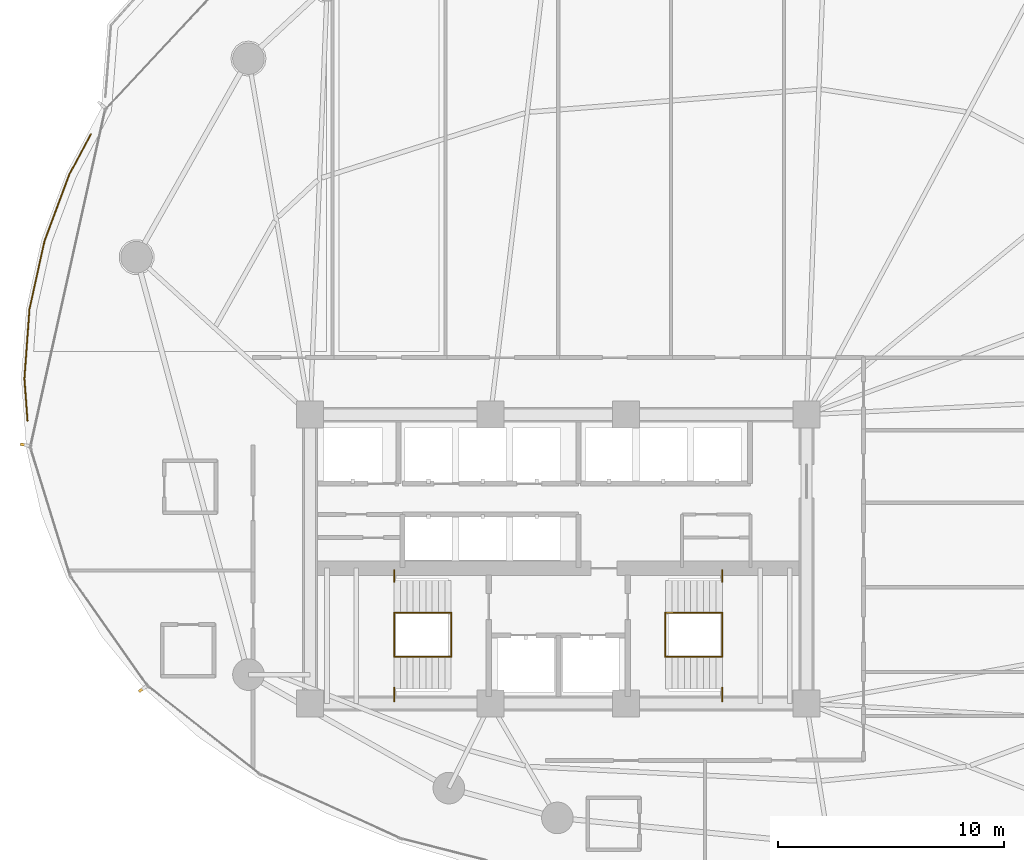
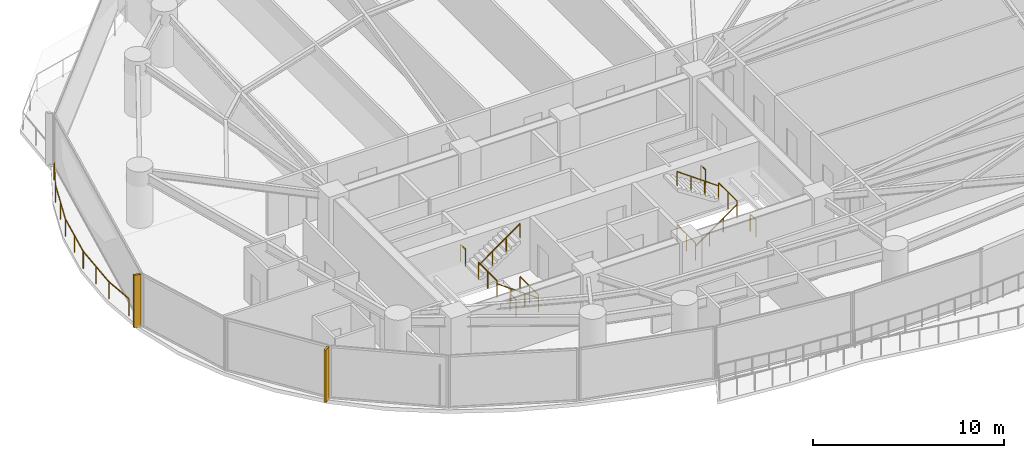
# One storey, part 31 of 34: 13 railings, 2 shading devices.
"""IFC4 building model written with IfcOpenShell, lengths in metres."""

from ifc_helpers import new_model, si_unit, direction, frame, origin, origin_2d, place, context, subcontext, project, spatial, rectangle, extrude, material, type_object, element, save


model = new_model("IFC4")

# Units and contexts
model_context = context("Model", 3, precision=1e-05, world=origin(), true_north=direction((0.0, 1.0)))
body_context = subcontext(model_context, "Body", "Model", "MODEL_VIEW")
ifc_project = project(units=[si_unit("LENGTHUNIT", "METRE"), si_unit("AREAUNIT", "SQUARE_METRE"), si_unit("VOLUMEUNIT", "CUBIC_METRE"), si_unit("PLANEANGLEUNIT", "RADIAN"), si_unit("MASSUNIT", "GRAM", prefix="KILO")], contexts=[model_context])

# Site, building, storey
site_placement = place(None, origin())
site = spatial("IfcSite", under=ifc_project, at=site_placement, CompositionType="ELEMENT")
building_placement = place(site_placement, origin())
building = spatial("IfcBuilding", under=site, at=building_placement, Name="Kazevale Care Tower and Concert Hall", CompositionType="ELEMENT")
storey_placement = place(building_placement, frame((0.0, 0.0, 67.199951171875)))
storey = spatial("IfcBuildingStorey", under=building, at=storey_placement, Name="L17", CompositionType="ELEMENT", Elevation=67.199951171875)

# Railings
ifc_material_1 = material(Name="Anodised Bronze Aluminium and Laminated Glass", Category="aluminium")
railing_type_1 = type_object("IfcRailingType", Name="Balcony and Terrace Balustrade 1120", PredefinedType="BALUSTRADE", material=ifc_material_1)
railing_1_placement = place(storey_placement, frame((9.47705078125, 36.139892578125, 0.0)))
element("IfcRailing", 1, at=railing_1_placement, inside=storey, type_object=railing_type_1, Name="rail:L17:perim:1", PredefinedType="BALUSTRADE", context=body_context, shape_type="SweptSolid", body=[
    extrude(rectangle(XDim=0.048095703125, YDim=0.048095703125, at=origin_2d()), frame((0.0, 0.0, 1.09619140625), z_axis=(-0.073432916276, 0.997300158832, 0.0), x_axis=(-0.997300158832, -0.073432916276, 0.0)), (0.0, 0.0, 1.0), 1.865234375),
    extrude(rectangle(XDim=0.048095703125, YDim=0.048095703125, at=origin_2d()), frame((-0.136962890625, 1.860107421875, 1.09619140625), z_axis=(0.072729345696, 0.997351714429, 0.0), x_axis=(-0.997351714429, 0.072729345696, 0.0)), (0.0, 0.0, 1.0), 3.078125),
    extrude(rectangle(XDim=0.048095703125, YDim=0.048095703125, at=origin_2d()), frame((0.0869140625, 4.93017578125, 1.09619140625), z_axis=(0.215148295556, 0.976581389808, 0.0), x_axis=(-0.976581389808, 0.215148295556, 0.0)), (0.0, 0.0, 1.0), 3.104736328125),
    extrude(rectangle(XDim=0.048095703125, YDim=0.048095703125, at=origin_2d()), frame((0.7548828125, 7.962158203125, 1.09619140625), z_axis=(0.350139798457, 0.936697454644, 0.0), x_axis=(-0.936697454644, 0.350139798457, 0.0)), (0.0, 0.0, 1.0), 3.15576171875),
    extrude(rectangle(XDim=0.048095703125, YDim=0.048095703125, at=origin_2d()), frame((1.85986328125, 10.918212890625, 1.09619140625), z_axis=(0.473074439741, 0.881022459682, 0.0), x_axis=(-0.881022459682, 0.473074439741, 0.0)), (0.0, 0.0, 1.0), 2.016845703125),
    extrude(rectangle(XDim=0.0419921875, YDim=0.0419921875, at=origin_2d()), origin(), (0.0, 0.0, 1.0), 1.072021484375),
    extrude(rectangle(XDim=0.0419921875, YDim=0.0419921875, at=origin_2d()), frame((-0.136962890625, 1.860107421875, 0.0)), (0.0, 0.0, 1.0), 1.072021484375),
    extrude(rectangle(XDim=0.0419921875, YDim=0.0419921875, at=origin_2d()), frame((-0.02490234375, 3.39501953125, 0.0)), (0.0, 0.0, 1.0), 1.072021484375),
    extrude(rectangle(XDim=0.0419921875, YDim=0.0419921875, at=origin_2d()), frame((0.0869140625, 4.93017578125, 0.0)), (0.0, 0.0, 1.0), 1.072021484375),
    extrude(rectangle(XDim=0.0419921875, YDim=0.0419921875, at=origin_2d()), frame((0.4208984375, 6.4462890625, 0.0)), (0.0, 0.0, 1.0), 1.072021484375),
    extrude(rectangle(XDim=0.0419921875, YDim=0.0419921875, at=origin_2d()), frame((0.7548828125, 7.962158203125, 0.0)), (0.0, 0.0, 1.0), 1.072021484375),
    extrude(rectangle(XDim=0.0419921875, YDim=0.0419921875, at=origin_2d()), frame((1.307373046875, 9.440185546875, 0.0)), (0.0, 0.0, 1.0), 1.072021484375),
    extrude(rectangle(XDim=0.0419921875, YDim=0.0419921875, at=origin_2d()), frame((1.85986328125, 10.918212890625, 0.0)), (0.0, 0.0, 1.0), 1.072021484375),
    extrude(rectangle(XDim=0.0419921875, YDim=0.0419921875, at=origin_2d()), frame((2.81396484375, 12.695068359375, 0.0)), (0.0, 0.0, 1.0), 1.072021484375),
])
ifc_material_2 = material(Name="Stainless Steel 316", Category="steel")
railing_type_2 = type_object("IfcRailingType", Name="Stair Pitch Handrail 920", PredefinedType="HANDRAIL", material=ifc_material_2)
railing_2_placement = place(storey_placement, frame((28.25, 25.679931640625, 0.0)))
element("IfcRailing", 2, at=railing_2_placement, inside=storey, type_object=railing_type_2, Name="stair:L17:ST1:hr1", PredefinedType="HANDRAIL", context=body_context, shape_type="SweptSolid", body=[
    extrude(rectangle(XDim=0.048095703125, YDim=0.048095703125, at=origin_2d()), frame((0.0, 0.0, 0.89599609375), z_axis=(-0.813728144527, 0.0, 0.581245650998), x_axis=(0.0, -1.0, 0.0)), (0.0, 0.0, 1.0), 3.096923828125),
    extrude(rectangle(XDim=0.0419921875, YDim=0.0419921875, at=origin_2d()), origin(), (0.0, 0.0, 1.0), 0.871826171875),
    extrude(rectangle(XDim=0.0419921875, YDim=0.0419921875, at=origin_2d()), frame((-0.840087890625, 0.0, 0.60009765625)), (0.0, 0.0, 1.0), 0.871826171875),
    extrude(rectangle(XDim=0.0419921875, YDim=0.0419921875, at=origin_2d()), frame((-1.679931640625, 0.0, 1.199951171875)), (0.0, 0.0, 1.0), 0.871826171875),
    extrude(rectangle(XDim=0.0419921875, YDim=0.0419921875, at=origin_2d()), frame((-2.52001953125, 0.0, 1.800048828125)), (0.0, 0.0, 1.0), 0.871826171875),
])
for number, where, name in (
    (3, (25.72998046875, 27.6201171875, 1.800048828125), "stair:L17:ST1:hr2"),
    (4, (37.75, 25.679931640625, 0.0), "stair:L17:ST2:hr1"),
):
    element("IfcRailing", number, at=place(storey_placement, frame(where)), inside=storey, type_object=railing_type_2, Name=name, PredefinedType="HANDRAIL", context=body_context, shape_type="SweptSolid", body=[
        extrude(rectangle(XDim=0.048095703125, YDim=0.048095703125, at=origin_2d()), frame((0.0, 0.0, 0.89599609375), z_axis=(0.813728144527, 0.0, 0.581245650998), x_axis=(0.0, 1.0, 0.0)), (0.0, 0.0, 1.0), 3.096923828125),
        extrude(rectangle(XDim=0.0419921875, YDim=0.0419921875, at=origin_2d()), origin(), (0.0, 0.0, 1.0), 0.871826171875),
        extrude(rectangle(XDim=0.0419921875, YDim=0.0419921875, at=origin_2d()), frame((0.840087890625, 0.0, 0.60009765625)), (0.0, 0.0, 1.0), 0.871826171875),
        extrude(rectangle(XDim=0.0419921875, YDim=0.0419921875, at=origin_2d()), frame((1.679931640625, 0.0, 1.199951171875)), (0.0, 0.0, 1.0), 0.871826171875),
        extrude(rectangle(XDim=0.0419921875, YDim=0.0419921875, at=origin_2d()), frame((2.52001953125, 0.0, 1.800048828125)), (0.0, 0.0, 1.0), 0.871826171875),
    ])
railing_3_placement = place(storey_placement, frame((40.27001953125, 27.6201171875, 1.800048828125)))
element("IfcRailing", 5, at=railing_3_placement, inside=storey, type_object=railing_type_2, Name="stair:L17:ST2:hr2", PredefinedType="HANDRAIL", context=body_context, shape_type="SweptSolid", body=[
    extrude(rectangle(XDim=0.048095703125, YDim=0.048095703125, at=origin_2d()), frame((0.0, 0.0, 0.89599609375), z_axis=(-0.813728144527, 0.0, 0.581245650998), x_axis=(0.0, -1.0, 0.0)), (0.0, 0.0, 1.0), 3.096923828125),
    extrude(rectangle(XDim=0.0419921875, YDim=0.0419921875, at=origin_2d()), origin(), (0.0, 0.0, 1.0), 0.871826171875),
    extrude(rectangle(XDim=0.0419921875, YDim=0.0419921875, at=origin_2d()), frame((-0.840087890625, 0.0, 0.60009765625)), (0.0, 0.0, 1.0), 0.871826171875),
    extrude(rectangle(XDim=0.0419921875, YDim=0.0419921875, at=origin_2d()), frame((-1.679931640625, 0.0, 1.199951171875)), (0.0, 0.0, 1.0), 0.871826171875),
    extrude(rectangle(XDim=0.0419921875, YDim=0.0419921875, at=origin_2d()), frame((-2.52001953125, 0.0, 1.800048828125)), (0.0, 0.0, 1.0), 0.871826171875),
])
railing_type_3 = type_object("IfcRailingType", Name="Stair Well Guard Balustrade 1120", PredefinedType="BALUSTRADE", material=ifc_material_2)
railing_4_placement = place(storey_placement, frame((25.72998046875, 23.699951171875, 1.800048828125)))
element("IfcRailing", 6, at=railing_4_placement, inside=storey, type_object=railing_type_3, Name="stair:L17:ST1:grd_side1", PredefinedType="BALUSTRADE", context=body_context, shape_type="SweptSolid", body=[
    extrude(rectangle(XDim=0.048095703125, YDim=0.048095703125, at=origin_2d()), frame((0.0, 0.0, 1.09619140625), z_axis=(0.0, 1.0, 0.0), x_axis=(-1.0, 0.0, 0.0)), (0.0, 0.0, 1.0), 0.610107421875),
    extrude(rectangle(XDim=0.0419921875, YDim=0.0419921875, at=origin_2d()), origin(), (0.0, 0.0, 1.0), 1.072021484375),
    extrude(rectangle(XDim=0.0419921875, YDim=0.0419921875, at=origin_2d()), frame((0.0, 0.610107421875, 0.0)), (0.0, 0.0, 1.0), 1.072021484375),
])
railing_5_placement = place(storey_placement, frame((25.72998046875, 28.989990234375, 1.800048828125)))
element("IfcRailing", 7, at=railing_5_placement, inside=storey, type_object=railing_type_3, Name="stair:L17:ST1:grd_side2", PredefinedType="BALUSTRADE", context=body_context, shape_type="SweptSolid", body=[
    extrude(rectangle(XDim=0.048095703125, YDim=0.048095703125, at=origin_2d()), frame((0.0, 0.0, 1.09619140625), z_axis=(0.0, 1.0, 0.0), x_axis=(-1.0, 0.0, 0.0)), (0.0, 0.0, 1.0), 0.510009765625),
    extrude(rectangle(XDim=0.0419921875, YDim=0.0419921875, at=origin_2d()), origin(), (0.0, 0.0, 1.0), 1.072021484375),
    extrude(rectangle(XDim=0.0419921875, YDim=0.0419921875, at=origin_2d()), frame((0.0, 0.510009765625, 0.0)), (0.0, 0.0, 1.0), 1.072021484375),
])
for number, where, name in (
    (8, (25.72998046875, 25.679931640625, 1.800048828125), "stair:L17:ST1:grd_mid"),
    (9, (28.25, 25.679931640625, 0.0), "stair:L17:ST1:grd_flr"),
):
    element("IfcRailing", number, at=place(storey_placement, frame(where)), inside=storey, type_object=railing_type_3, Name=name, PredefinedType="BALUSTRADE", context=body_context, shape_type="SweptSolid", body=[
        extrude(rectangle(XDim=0.048095703125, YDim=0.048095703125, at=origin_2d()), frame((0.0, 0.0, 1.09619140625), z_axis=(0.0, 1.0, 0.0), x_axis=(-1.0, 0.0, 0.0)), (0.0, 0.0, 1.0), 1.940185546875),
        extrude(rectangle(XDim=0.0419921875, YDim=0.0419921875, at=origin_2d()), origin(), (0.0, 0.0, 1.0), 1.072021484375),
        extrude(rectangle(XDim=0.0419921875, YDim=0.0419921875, at=origin_2d()), frame((0.0, 0.97021484375, 0.0)), (0.0, 0.0, 1.0), 1.072021484375),
        extrude(rectangle(XDim=0.0419921875, YDim=0.0419921875, at=origin_2d()), frame((0.0, 1.940185546875, 0.0)), (0.0, 0.0, 1.0), 1.072021484375),
    ])
railing_6_placement = place(storey_placement, frame((40.27001953125, 23.699951171875, 1.800048828125)))
element("IfcRailing", 10, at=railing_6_placement, inside=storey, type_object=railing_type_3, Name="stair:L17:ST2:grd_side1", PredefinedType="BALUSTRADE", context=body_context, shape_type="SweptSolid", body=[
    extrude(rectangle(XDim=0.048095703125, YDim=0.048095703125, at=origin_2d()), frame((0.0, 0.0, 1.09619140625), z_axis=(0.0, 1.0, 0.0), x_axis=(-1.0, 0.0, 0.0)), (0.0, 0.0, 1.0), 0.610107421875),
    extrude(rectangle(XDim=0.0419921875, YDim=0.0419921875, at=origin_2d()), origin(), (0.0, 0.0, 1.0), 1.072021484375),
    extrude(rectangle(XDim=0.0419921875, YDim=0.0419921875, at=origin_2d()), frame((0.0, 0.610107421875, 0.0)), (0.0, 0.0, 1.0), 1.072021484375),
])
railing_7_placement = place(storey_placement, frame((40.27001953125, 28.989990234375, 1.800048828125)))
element("IfcRailing", 11, at=railing_7_placement, inside=storey, type_object=railing_type_3, Name="stair:L17:ST2:grd_side2", PredefinedType="BALUSTRADE", context=body_context, shape_type="SweptSolid", body=[
    extrude(rectangle(XDim=0.048095703125, YDim=0.048095703125, at=origin_2d()), frame((0.0, 0.0, 1.09619140625), z_axis=(0.0, 1.0, 0.0), x_axis=(-1.0, 0.0, 0.0)), (0.0, 0.0, 1.0), 0.510009765625),
    extrude(rectangle(XDim=0.0419921875, YDim=0.0419921875, at=origin_2d()), origin(), (0.0, 0.0, 1.0), 1.072021484375),
    extrude(rectangle(XDim=0.0419921875, YDim=0.0419921875, at=origin_2d()), frame((0.0, 0.510009765625, 0.0)), (0.0, 0.0, 1.0), 1.072021484375),
])
for number, where, name in (
    (12, (40.27001953125, 25.679931640625, 1.800048828125), "stair:L17:ST2:grd_mid"),
    (13, (37.75, 25.679931640625, 0.0), "stair:L17:ST2:grd_flr"),
):
    element("IfcRailing", number, at=place(storey_placement, frame(where)), inside=storey, type_object=railing_type_3, Name=name, PredefinedType="BALUSTRADE", context=body_context, shape_type="SweptSolid", body=[
        extrude(rectangle(XDim=0.048095703125, YDim=0.048095703125, at=origin_2d()), frame((0.0, 0.0, 1.09619140625), z_axis=(0.0, 1.0, 0.0), x_axis=(-1.0, 0.0, 0.0)), (0.0, 0.0, 1.0), 1.940185546875),
        extrude(rectangle(XDim=0.0419921875, YDim=0.0419921875, at=origin_2d()), origin(), (0.0, 0.0, 1.0), 1.072021484375),
        extrude(rectangle(XDim=0.0419921875, YDim=0.0419921875, at=origin_2d()), frame((0.0, 0.97021484375, 0.0)), (0.0, 0.0, 1.0), 1.072021484375),
        extrude(rectangle(XDim=0.0419921875, YDim=0.0419921875, at=origin_2d()), frame((0.0, 1.940185546875, 0.0)), (0.0, 0.0, 1.0), 1.072021484375),
    ])

# Shading devices
ifc_material_3 = material(Name="Honed Ochre Limestone", Category="masonry")
shading_device_type = type_object("IfcShadingDeviceType", Name="Vertical Honed Limestone Fin FIN-01", PredefinedType="USERDEFINED", material=ifc_material_3)
for number, where, z_axis, x_axis, name in (
    (14, (14.5693359375, 24.23779296875, 0.0), (0.0, 0.0, 1.0), (-0.817547124842, -0.575861700985, 0.0), "cw:L17:f11:fin"),
    (15, (9.34326171875, 35.056884765625, 0.0), (0.0, 0.0, 1.0), (-0.97629600712, 0.216439613938, 0.0), "cw:L17:f13:fin"),
):
    element("IfcShadingDevice", number, at=place(storey_placement, frame(where, z_axis=z_axis, x_axis=x_axis)), inside=storey, type_object=shading_device_type, Name=name, ObjectType="FIN", PredefinedType="USERDEFINED", context=body_context, shape_type="SweptSolid", body=[
        extrude(rectangle(XDim=0.3798828125, YDim=0.1201171875, at=origin_2d()), origin(), (0.0, 0.0, 1.0), 3.360107421875),
    ])

save(model, "model.ifc")
